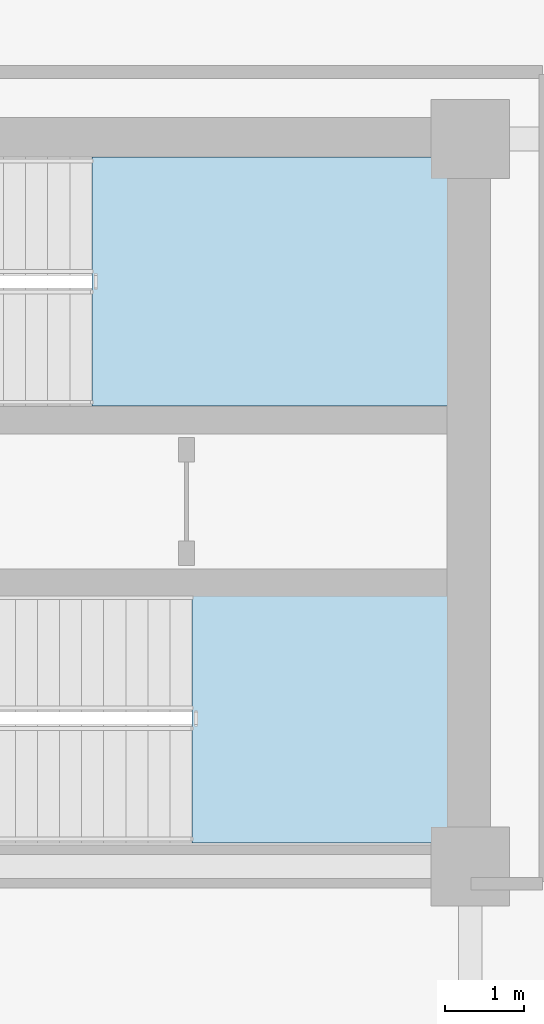
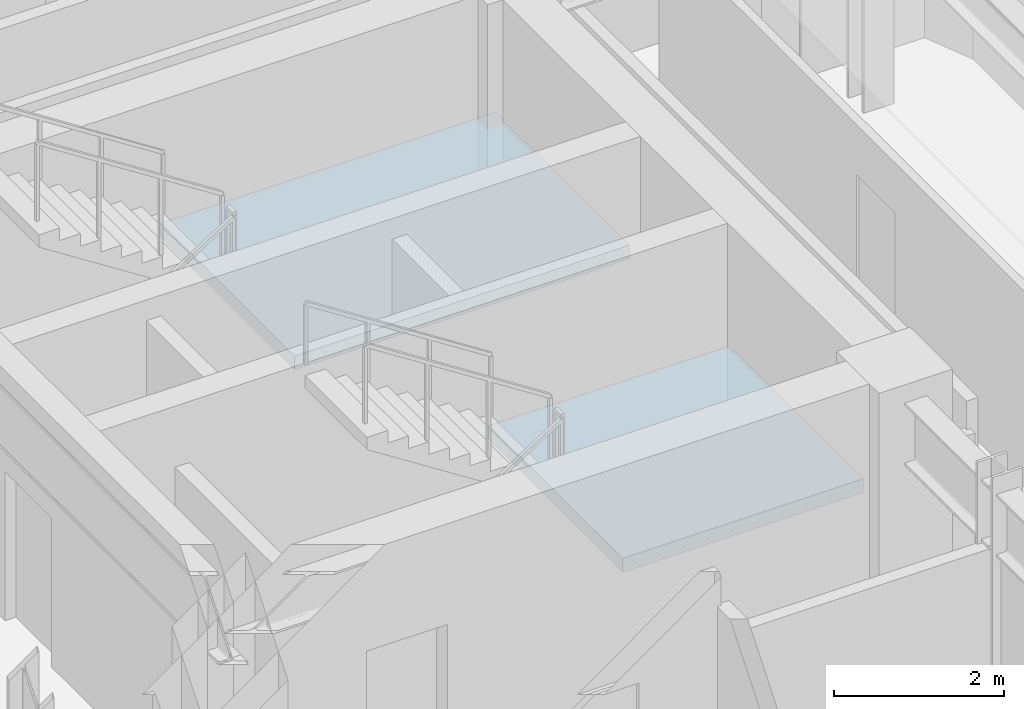
# One storey, part 4 of 15: 2 slabs, 2 elements without a shape of their own.
"""IFC4 building model written with IfcOpenShell, lengths in metres."""

from ifc_helpers import new_model, si_unit, direction, frame, origin, place, context, subcontext, project, spatial, polyline, outline, extrude, material, layer, layer_set, type_object, element, aggregate, save


model = new_model("IFC4")

# Units and contexts
model_context = context("Model", 3, precision=1e-05, world=origin(), true_north=direction((0.0, 1.0)))
body_context = subcontext(model_context, "Body", "Model", "MODEL_VIEW")
ifc_project = project(units=[si_unit("LENGTHUNIT", "METRE"), si_unit("AREAUNIT", "SQUARE_METRE"), si_unit("VOLUMEUNIT", "CUBIC_METRE"), si_unit("PLANEANGLEUNIT", "RADIAN"), si_unit("MASSUNIT", "GRAM", prefix="KILO")], contexts=[model_context])

# Site, building, storey
site_placement = place(None, origin())
site = spatial("IfcSite", under=ifc_project, at=site_placement, CompositionType="ELEMENT")
building_placement = place(site_placement, origin())
building = spatial("IfcBuilding", under=site, at=building_placement, Name="Zarnavel Station Tower", CompositionType="ELEMENT")
storey_placement = place(building_placement, frame((0.0, 0.0, 196.800048828125)))
storey = spatial("IfcBuildingStorey", under=building, at=storey_placement, Name="L53", CompositionType="ELEMENT", Elevation=196.800048828125)

# Stair, slab
ifc_material_1 = material(Name="Concrete C45/55", Category="concrete")
stair_type = type_object("IfcStairType", Name="ST_CORE_150", PredefinedType="HALF_TURN_STAIR", material=ifc_material_1)
stair_1_placement = place(storey_placement, origin())
stair_1 = element("IfcStair", 1, at=stair_1_placement, inside=storey, type_object=stair_type, Name="L53 Core Exit Stair ST2", PredefinedType="HALF_TURN_STAIR")
ifc_material_2 = material(Name="Concrete C45/55", Category="concrete")
ifc_layer = layer(ifc_material_2, 0.199951171875)
ifc_layer_set = layer_set([ifc_layer], Name="SL_STAIR_LAND_200")
slab_type = type_object("IfcSlabType", Name="SL_STAIR_LAND_200", PredefinedType="LANDING", material=ifc_layer_set)
slab_1_placement = place(storey_placement, frame((0.0, 0.0, 1.599853515625)))
slab_1 = element("IfcSlab", 2, at=slab_1_placement, type_object=slab_type, Name="ST2 landing 1", PredefinedType="LANDING", context=body_context, shape_type="SweptSolid", body=[
    extrude(outline(polyline([(40.60009765625, 33.659912109375), (45.159912109375, 33.659912109375), (45.159912109375, 36.820068359375), (40.60009765625, 36.820068359375), (40.60009765625, 33.659912109375)])), origin(), (0.0, 0.0, 1.0), 0.2001953125),
])
aggregate(stair_1, [slab_1])

stair_2_placement = place(storey_placement, origin())
stair_2 = element("IfcStair", 3, at=stair_2_placement, inside=storey, type_object=stair_type, Name="L53 Core Exit Stair ST3", PredefinedType="HALF_TURN_STAIR")
slab_2_placement = place(storey_placement, frame((0.0, 0.0, 1.599853515625)))
slab_2 = element("IfcSlab", 4, at=slab_2_placement, type_object=slab_type, Name="ST3 landing 1", PredefinedType="LANDING", context=body_context, shape_type="SweptSolid", body=[
    extrude(outline(polyline([(41.8701171875, 28.1201171875), (45.14990234375, 28.1201171875), (45.14990234375, 31.280029296875), (41.8701171875, 31.280029296875), (41.8701171875, 28.1201171875)])), origin(), (0.0, 0.0, 1.0), 0.2001953125),
])
aggregate(stair_2, [slab_2])

save(model, "model.ifc")
